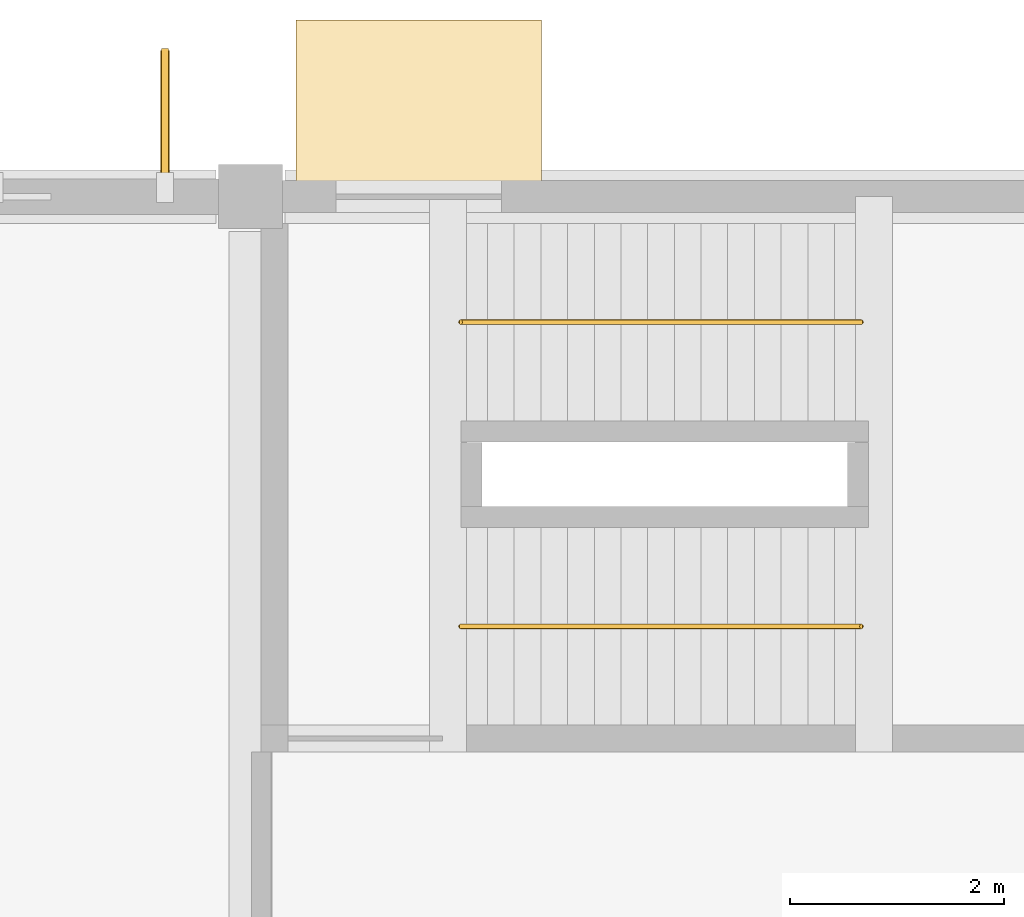
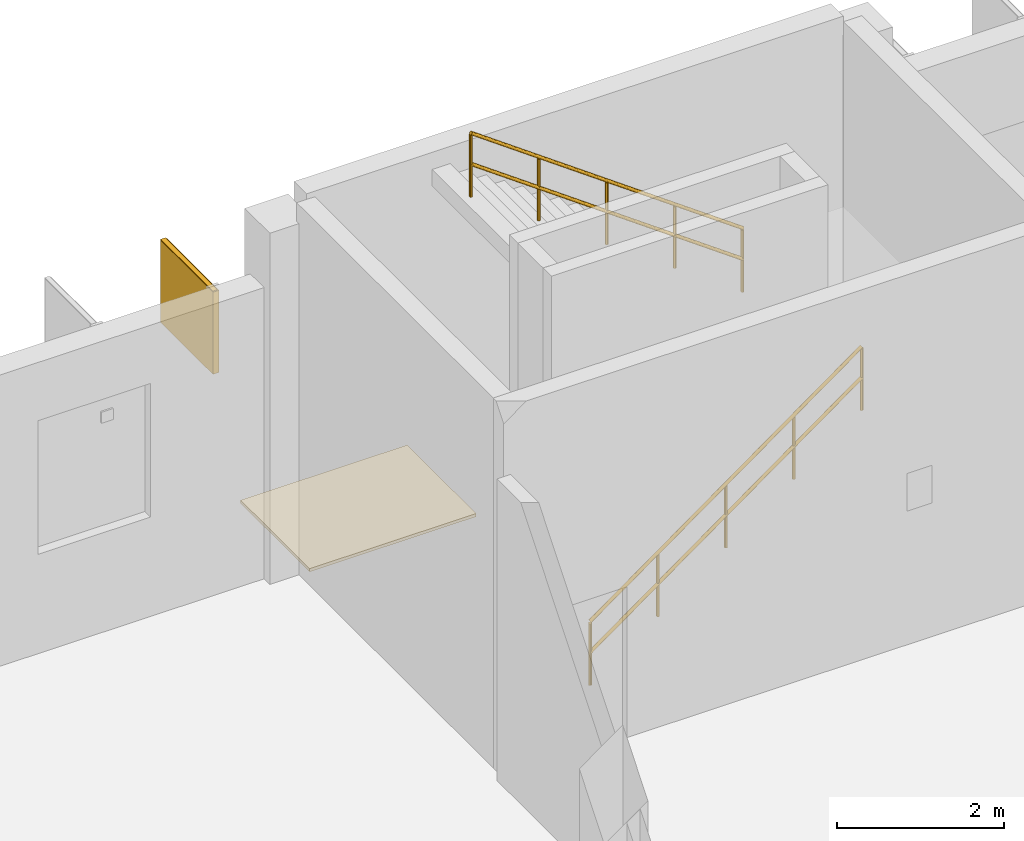
# One storey, part 100 of 103: 2 coverings, 2 railings, 1 shading device.
"""IFC4 building model written with IfcOpenShell, lengths in metres."""

from ifc_helpers import new_model, si_unit, direction, frame, origin, origin_2d, place, context, subcontext, project, spatial, polyline, rectangle, circle, outline, extrude, material, layer, layer_set, type_object, element, save


model = new_model("IFC4")

# Units and contexts
model_context = context("Model", 3, precision=1e-05, world=origin(), true_north=direction((0.0, 1.0)))
body_context = subcontext(model_context, "Body", "Model", "MODEL_VIEW")
ifc_project = project(units=[si_unit("LENGTHUNIT", "METRE"), si_unit("AREAUNIT", "SQUARE_METRE"), si_unit("VOLUMEUNIT", "CUBIC_METRE"), si_unit("PLANEANGLEUNIT", "RADIAN"), si_unit("MASSUNIT", "GRAM", prefix="KILO")], contexts=[model_context])

# Site, building, storey
site_placement = place(None, origin())
site = spatial("IfcSite", under=ifc_project, at=site_placement, CompositionType="ELEMENT")
building_placement = place(site_placement, origin())
building = spatial("IfcBuilding", under=site, at=building_placement, Name="Drelvana Railside Aquatics Centre", CompositionType="ELEMENT")
storey_placement = place(building_placement, origin())
storey = spatial("IfcBuildingStorey", under=building, at=storey_placement, Name="L00", CompositionType="ELEMENT", Elevation=0.0)

# Coverings
ifc_material_1 = material(Name="Catalan trencadis polychrome ceramic mosaic cladding", Category="masonry")
ifc_layer = layer(ifc_material_1, 0.044921875, Name="Catalan trencadis polychrome ceramic mosaic cladding")
ifc_layer_set = layer_set([ifc_layer], Name="Catalan trencadis polychrome ceramic mosaic cladding")
covering_type_1 = type_object("IfcCoveringType", Name="COV-CLAD-TRENCADIS", PredefinedType="CLADDING", material=ifc_layer_set)
covering_1_placement = place(storey_placement, frame((0.0, 0.0, -0.2548828125)))
element("IfcCovering", 1, at=covering_1_placement, inside=storey, type_object=covering_type_1, Name="Threshold apron bedding trim 015", PredefinedType="CLADDING", context=body_context, shape_type="SweptSolid", body=[
    extrude(outline(polyline([(120.425048828125, 116.0048828125), (122.72509765625, 116.0048828125), (122.72509765625, 117.655029296875), (120.425048828125, 117.655029296875), (120.425048828125, 116.0048828125)])), origin(), (0.0, 0.0, 1.0), 0.044921875),
])
ifc_material_2 = material(Name="Bronze-anodised extruded aluminium 6063-T6", Category="aluminium")
covering_type_2 = type_object("IfcCoveringType", Name="COV-FIN-ALU", PredefinedType="CLADDING", material=ifc_material_2)
covering_2_placement = place(storey_placement, frame((119.199951171875, 116.7451171875, 3.0), z_axis=(0.0, 0.0, 1.0), x_axis=(1.0, 0.0, 0.0)))
element("IfcCovering", 2, at=covering_2_placement, inside=storey, type_object=covering_type_2, Name="Vertical aluminium fin cladding CF-0480", PredefinedType="CLADDING", context=body_context, shape_type="SweptSolid", body=[
    extrude(rectangle(XDim=0.0849609375, YDim=1.25, at=origin_2d()), origin(), (0.0, 0.0, 1.0), 1.199951171875),
])

# Railings
ifc_material_3 = material(Name="Brushed stainless steel stair pitch handrail", Category="steel")
railing_type = type_object("IfcRailingType", Name="RAL-HANDRAIL-950", PredefinedType="HANDRAIL", material=ifc_material_3)
railing_1_placement = place(storey_placement, frame((121.969970703125, 111.97509765625, 0.0)))
element("IfcRailing", 3, at=railing_1_placement, inside=storey, type_object=railing_type, Name="Stair ST-05 flight 1 handrail (L00)", PredefinedType="HANDRAIL", context=body_context, shape_type="SweptSolid", body=[
    extrude(circle(Radius=0.02392578125, at=origin_2d()), frame((0.0, 0.0, 0.92578125), z_axis=(0.811539352079, 0.0, 0.584297766578), x_axis=(0.0, 1.0, 0.0)), (0.0, 0.0, 1.0), 4.620849609375),
    extrude(circle(Radius=0.02392578125, at=origin_2d()), frame((0.0, 0.0, 0.47509765625), z_axis=(0.811539352079, 0.0, 0.584297766578), x_axis=(0.0, 1.0, 0.0)), (0.0, 0.0, 1.0), 4.620849609375),
    extrude(circle(Radius=0.02099609375, at=origin_2d()), origin(), (0.0, 0.0, 1.0), 0.90185546875),
    extrude(circle(Radius=0.02099609375, at=origin_2d()), frame((0.9375, 0.0, 0.675048828125)), (0.0, 0.0, 1.0), 0.90185546875),
    extrude(circle(Radius=0.02099609375, at=origin_2d()), frame((1.875, 0.0, 1.35009765625)), (0.0, 0.0, 1.0), 0.90185546875),
    extrude(circle(Radius=0.02099609375, at=origin_2d()), frame((2.8125, 0.0, 2.02490234375)), (0.0, 0.0, 1.0), 0.90185546875),
    extrude(circle(Radius=0.02099609375, at=origin_2d()), frame((3.75, 0.0, 2.699951171875)), (0.0, 0.0, 1.0), 0.90185546875),
])
railing_2_placement = place(storey_placement, frame((125.719970703125, 114.824951171875, 2.699951171875)))
element("IfcRailing", 4, at=railing_2_placement, inside=storey, type_object=railing_type, Name="Stair ST-05 flight 2 handrail (L00)", PredefinedType="HANDRAIL", context=body_context, shape_type="SweptSolid", body=[
    extrude(circle(Radius=0.02392578125, at=origin_2d()), frame((0.0, 0.0, 0.92578125), z_axis=(-0.811539352079, 0.0, 0.584297766578), x_axis=(0.0, -1.0, 0.0)), (0.0, 0.0, 1.0), 4.620849609375),
    extrude(circle(Radius=0.02392578125, at=origin_2d()), frame((0.0, 0.0, 0.47509765625), z_axis=(-0.811539352079, 0.0, 0.584297766578), x_axis=(0.0, -1.0, 0.0)), (0.0, 0.0, 1.0), 4.620849609375),
    extrude(circle(Radius=0.02099609375, at=origin_2d()), origin(), (0.0, 0.0, 1.0), 0.90185546875),
    extrude(circle(Radius=0.02099609375, at=origin_2d()), frame((-0.9375, 0.0, 0.675048828125)), (0.0, 0.0, 1.0), 0.90185546875),
    extrude(circle(Radius=0.02099609375, at=origin_2d()), frame((-1.875, 0.0, 1.35009765625)), (0.0, 0.0, 1.0), 0.90185546875),
    extrude(circle(Radius=0.02099609375, at=origin_2d()), frame((-2.8125, 0.0, 2.02490234375)), (0.0, 0.0, 1.0), 0.90185546875),
    extrude(circle(Radius=0.02099609375, at=origin_2d()), frame((-3.75, 0.0, 2.699951171875)), (0.0, 0.0, 1.0), 0.90185546875),
])

# Shading device
shading_device_type = type_object("IfcShadingDeviceType", Name="SHD-FIN-1250", PredefinedType="USERDEFINED", material=ifc_material_2)
shading_device_placement = place(storey_placement, frame((119.199951171875, 116.764892578125, 3.0), z_axis=(0.0, 0.0, 1.0), x_axis=(0.0, 1.0, 0.0)))
element("IfcShadingDevice", 5, at=shading_device_placement, inside=storey, type_object=shading_device_type, Name="Vertical bronze shading fin FN-0487", ObjectType="FIN", PredefinedType="USERDEFINED", context=body_context, shape_type="SweptSolid", body=[
    extrude(rectangle(XDim=1.25, YDim=0.06494140625, at=origin_2d()), origin(), (0.0, 0.0, 1.0), 1.199951171875),
])

save(model, "model.ifc")
